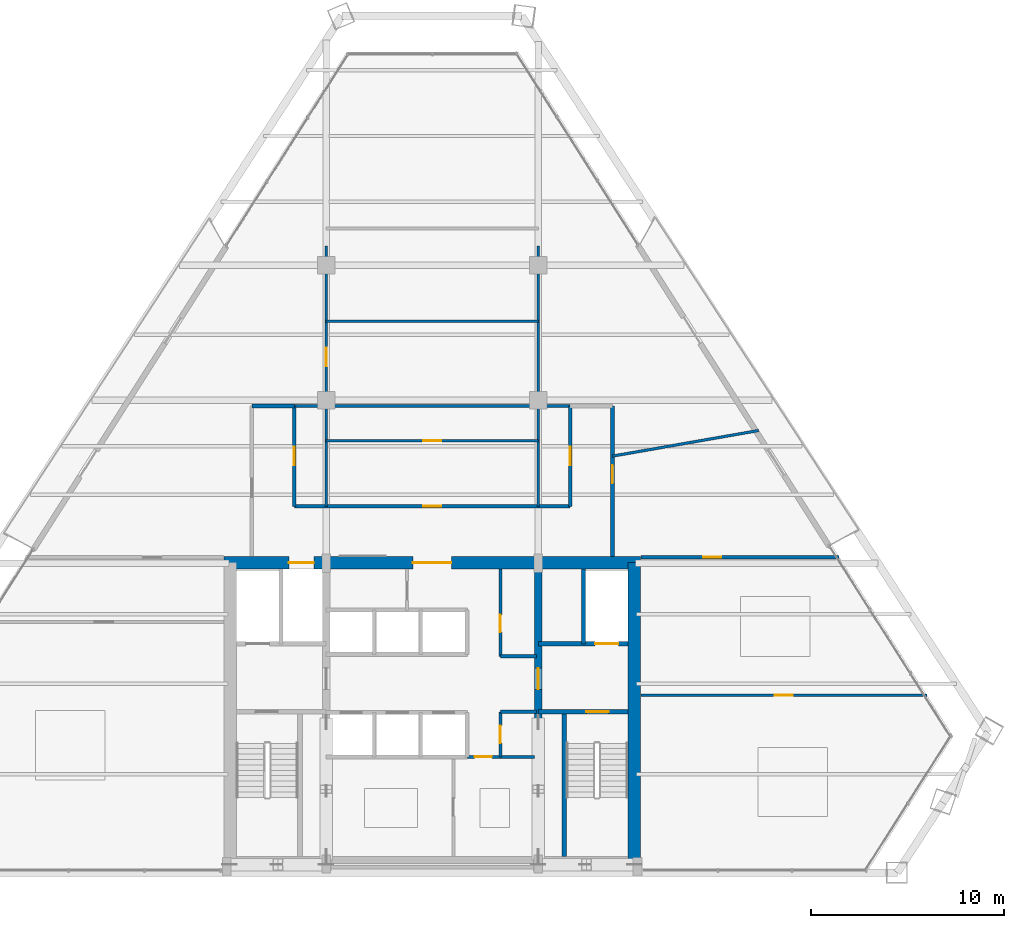
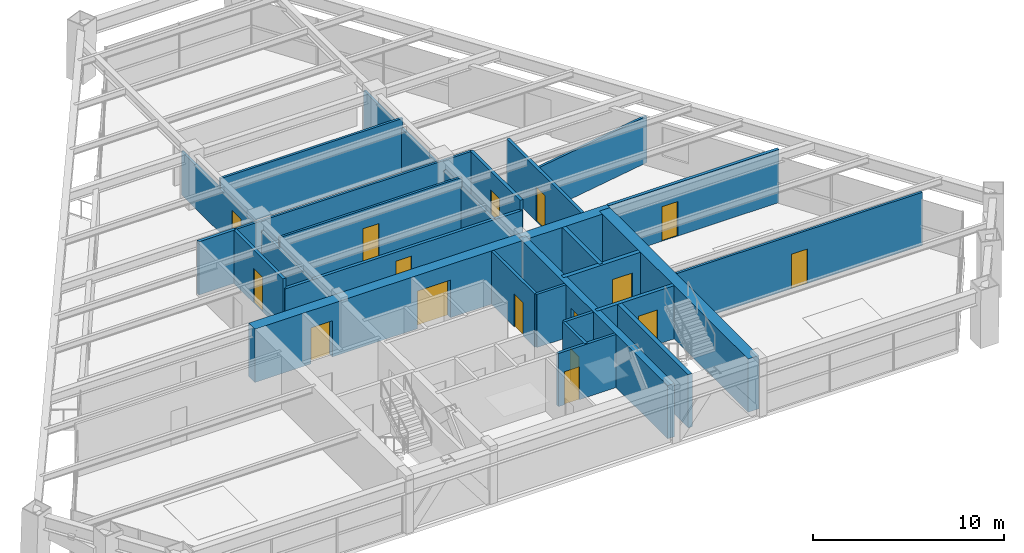
# One storey, part 12 of 15: 25 walls, 16 doors, 16 openings.
"""IFC4 building model written with IfcOpenShell, lengths in metres."""

from ifc_helpers import new_model, si_unit, direction, frame, frame_2d, origin, place, context, subcontext, project, spatial, rectangle, extrude, source, transform, mapped, material, layer, layer_set, type_object, type_shapes, element, fill, save


model = new_model("IFC4")

# Units and contexts
model_context = context("Model", 3, precision=1e-05, world=origin(), true_north=direction((0.0, 1.0)))
body_context = subcontext(model_context, "Body", "Model", "MODEL_VIEW")
ifc_project = project(units=[si_unit("LENGTHUNIT", "METRE"), si_unit("AREAUNIT", "SQUARE_METRE"), si_unit("VOLUMEUNIT", "CUBIC_METRE"), si_unit("PLANEANGLEUNIT", "RADIAN"), si_unit("MASSUNIT", "GRAM", prefix="KILO")], contexts=[model_context])

# Site, building, storey
site_placement = place(None, origin())
site = spatial("IfcSite", under=ifc_project, at=site_placement, CompositionType="ELEMENT")
building_placement = place(site_placement, origin())
building = spatial("IfcBuilding", under=site, at=building_placement, Name="Varnakhor Terracotta Tower", CompositionType="ELEMENT")
storey_placement = place(building_placement, frame((0.0, 0.0, 162.60009765625)))
storey = spatial("IfcBuildingStorey", under=building, at=storey_placement, Name="L41", CompositionType="ELEMENT", Elevation=162.60009765625)

# Wall, openings, doors
ifc_material_1 = material(Name="Concrete C50/60", Category="concrete")
ifc_layer_1 = layer(ifc_material_1, 0.64990234375, Name="Concrete C50/60")
ifc_layer_set_1 = layer_set([ifc_layer_1], Name="Concrete C50/60")
wall_type_1 = type_object("IfcWallType", Name="WAL-CORE-650", PredefinedType="SHEAR", material=ifc_layer_set_1)
wall_1_placement = place(storey_placement, frame((-10.800048828125, 16.074951171875, 0.0), z_axis=(0.0, 0.0, 1.0), x_axis=(1.0, 0.0, 0.0)))
wall_1 = element("IfcWall", 1, at=wall_1_placement, inside=storey, type_object=wall_type_1, Name="L41 North Core Shear Wall", PredefinedType="SHEAR", context=body_context, shape_type="SweptSolid", body=[
    extrude(rectangle(XDim=21.60009765625, YDim=0.64990234375, at=frame_2d((10.800048828125, 0.0))), origin(), (0.0, 0.0, 1.0), 3.39990234375),
])
opening_1_placement = place(wall_1_placement, frame((3.3701171875, 0.0, 0.0)))
opening_1 = element("IfcOpeningElement", 2, at=opening_1_placement, cuts=wall_1, Name="Opening LD-03", PredefinedType="OPENING", context=body_context, shape_type="SweptSolid", body=[
    extrude(rectangle(XDim=1.300048828125, YDim=2.300048828125, at=frame_2d((0.64990234375, 1.14990234375))), frame((0.0, 0.3349609375, 0.0), z_axis=(0.0, -1.0, 0.0), x_axis=(1.0, 0.0, 0.0)), (0.0, 0.0, 1.0), 0.669921875),
])
opening_2_placement = place(wall_1_placement, frame((9.800048828125, 0.0, 0.0)))
opening_2 = element("IfcOpeningElement", 3, at=opening_2_placement, cuts=wall_1, Name="Opening DR-32", PredefinedType="OPENING", context=body_context, shape_type="SweptSolid", body=[
    extrude(rectangle(XDim=2.0, YDim=2.39990234375, at=frame_2d((1.0, 1.199951171875))), frame((0.0, 0.3349609375, 0.0), z_axis=(0.0, -1.0, 0.0), x_axis=(1.0, 0.0, 0.0)), (0.0, 0.0, 1.0), 0.669921875),
])
ifc_material_2 = material(Name="Heavy-Duty Goods Sliding Lift Landing Door", Category="steel")
door_type_1 = type_object("IfcDoorType", Name="LD-SRV-1300X2300", OperationType="NOTDEFINED", PredefinedType="DOOR", material=ifc_material_2)
shared_shape_1 = source(origin(), body_context, "Body", "SweptSolid", [
    extrude(rectangle(XDim=1.300048828125, YDim=2.300048828125, at=frame_2d((0.64990234375, 1.14990234375))), frame((0.0, 0.02490234375, 0.0), z_axis=(0.0, -1.0, 0.0), x_axis=(1.0, 0.0, 0.0)), (0.0, 0.0, 1.0), 0.050048828125),
])
type_shapes(door_type_1, [shared_shape_1])
door_1_placement = place(opening_1_placement, origin())
door_1 = element("IfcDoor", 4, at=door_1_placement, inside=storey, type_object=door_type_1, Name="L41 Service Lift SVL-1 Landing Door", OperationType="SLIDING_TO_RIGHT", OverallHeight=2.300048828125, OverallWidth=1.300048828125, PredefinedType="DOOR", context=body_context, shape_type="MappedRepresentation", body=[
    mapped(shared_shape_1, transform((0.0, 0.0, 0.0), scale=1.0)),
])
fill(opening_1, door_1)
ifc_material_3 = material(Name="Acoustic Double Assembly Fire Door", Category="wood")
door_type_2 = type_object("IfcDoorType", Name="DR-HALL-2000X2400", OperationType="NOTDEFINED", PredefinedType="DOOR", material=ifc_material_3)
shared_shape_2 = source(origin(), body_context, "Body", "SweptSolid", [
    extrude(rectangle(XDim=2.0, YDim=2.39990234375, at=frame_2d((1.0, 1.199951171875))), frame((0.0, 0.02490234375, 0.0), z_axis=(0.0, -1.0, 0.0), x_axis=(1.0, 0.0, 0.0)), (0.0, 0.0, 1.0), 0.050048828125),
])
type_shapes(door_type_2, [shared_shape_2])
door_2_placement = place(opening_2_placement, origin())
door_2 = element("IfcDoor", 5, at=door_2_placement, inside=storey, type_object=door_type_2, Name="L41 Core Main Lobby Double Door", OperationType="DOUBLE_DOOR_SINGLE_SWING", OverallHeight=2.39990234375, OverallWidth=2.0, PredefinedType="DOOR", context=body_context, shape_type="MappedRepresentation", body=[
    mapped(shared_shape_2, transform((0.0, 0.0, 0.0), scale=1.0)),
])
fill(opening_2, door_2)

# Wall
wall_2_placement = place(storey_placement, frame((10.47509765625, 0.52490234375, 0.0), z_axis=(0.0, 0.0, 1.0), x_axis=(0.0, 1.0, 0.0)))
element("IfcWall", 6, at=wall_2_placement, inside=storey, type_object=wall_type_1, Name="L41 East Core Shear Wall", PredefinedType="SHEAR", context=body_context, shape_type="SweptSolid", body=[
    extrude(rectangle(XDim=15.550048828125, YDim=0.64990234375, at=frame_2d((7.77490234375, 0.0))), origin(), (0.0, 0.0, 1.0), 3.39990234375),
])

# Wall, opening, door
ifc_layer_2 = layer(ifc_material_1, 0.39990234375, Name="Concrete C50/60")
ifc_layer_set_2 = layer_set([ifc_layer_2], Name="Concrete C50/60")
wall_type_2 = type_object("IfcWallType", Name="WAL-CORE-WEB-400", PredefinedType="SHEAR", material=ifc_layer_set_2)
wall_3_placement = place(storey_placement, frame((5.5, 0.52490234375, 0.0), z_axis=(0.0, 0.0, 1.0), x_axis=(0.0, 1.0, 0.0)))
wall_3 = element("IfcWall", 7, at=wall_3_placement, inside=storey, type_object=wall_type_2, Name="L41 East Core Web Shear Wall", PredefinedType="SHEAR", context=body_context, shape_type="SweptSolid", body=[
    extrude(rectangle(XDim=15.550048828125, YDim=0.39990234375, at=frame_2d((7.77490234375, 0.0))), origin(), (0.0, 0.0, 1.0), 3.39990234375),
])
opening_3_placement = place(wall_3_placement, frame((8.97509765625, 0.0, 0.0)))
opening_3 = element("IfcOpeningElement", 8, at=opening_3_placement, cuts=wall_3, Name="Opening DR-25", PredefinedType="OPENING", context=body_context, shape_type="SweptSolid", body=[
    extrude(rectangle(XDim=1.10009765625, YDim=2.199951171875, at=frame_2d((0.550048828125, 1.10009765625))), frame((0.0, 0.2099609375, 0.0), z_axis=(0.0, -1.0, 0.0), x_axis=(1.0, 0.0, 0.0)), (0.0, 0.0, 1.0), 0.419921875),
])
ifc_material_4 = material(Name="Firefighting Lobby Self-Closing Fire Door", Category="steel")
door_type_3 = type_object("IfcDoorType", Name="DR-FFL-1100X2200", OperationType="NOTDEFINED", PredefinedType="DOOR", material=ifc_material_4)
shared_shape_3 = source(origin(), body_context, "Body", "SweptSolid", [
    extrude(rectangle(XDim=1.10009765625, YDim=2.199951171875, at=frame_2d((0.550048828125, 1.10009765625))), frame((0.0, 0.02490234375, 0.0), z_axis=(0.0, -1.0, 0.0), x_axis=(1.0, 0.0, 0.0)), (0.0, 0.0, 1.0), 0.050048828125),
])
type_shapes(door_type_3, [shared_shape_3])
door_3_placement = place(opening_3_placement, origin())
door_3 = element("IfcDoor", 9, at=door_3_placement, inside=storey, type_object=door_type_3, Name="L41 East Firefighting Lobby Door", OperationType="SINGLE_SWING_LEFT", OverallHeight=2.199951171875, OverallWidth=1.10009765625, PredefinedType="DOOR", context=body_context, shape_type="MappedRepresentation", body=[
    mapped(shared_shape_3, transform((0.0, 0.0, 0.0), scale=1.0)),
])
fill(opening_3, door_3)

ifc_material_5 = material(Name="Fire-Rated Gypsum Stud Partition", Category="gypsum")
ifc_layer_3 = layer(ifc_material_5, 0.18505859375, Name="Fire-Rated Gypsum Stud Partition")
ifc_layer_set_3 = layer_set([ifc_layer_3], Name="Fire-Rated Gypsum Stud Partition")
wall_type_3 = type_object("IfcWallType", Name="WAL-CORR-185", PredefinedType="PARTITIONING", material=ifc_layer_set_3)
wall_4_placement = place(storey_placement, frame((-7.14990234375, 19.0, 0.0), z_axis=(0.0, 0.0, 1.0), x_axis=(1.0, 0.0, 0.0)))
wall_4 = element("IfcWall", 10, at=wall_4_placement, inside=storey, type_object=wall_type_3, Name="L41 Central Gallery Link Wall", PredefinedType="PARTITIONING", context=body_context, shape_type="SweptSolid", body=[
    extrude(rectangle(XDim=14.2998046875, YDim=0.18505859375, at=frame_2d((7.14990234375, 0.0))), origin(), (0.0, 0.0, 1.0), 2.77587890625),
])
opening_4_placement = place(wall_4_placement, frame((6.675048828125, 0.0, 0.0)))
opening_4 = element("IfcOpeningElement", 11, at=opening_4_placement, cuts=wall_4, Name="Opening DR-94", PredefinedType="OPENING", context=body_context, shape_type="SweptSolid", body=[
    extrude(rectangle(XDim=0.949951171875, YDim=2.199951171875, at=frame_2d((0.47509765625, 1.10009765625))), frame((0.0, 0.1025390625, 0.0), z_axis=(0.0, -1.0, 0.0), x_axis=(1.0, 0.0, 0.0)), (0.0, 0.0, 1.0), 0.205078125),
])
ifc_material_6 = material(Name="Acoustic Glazed-Vision Timber Office Door", Category="wood")
door_type_4 = type_object("IfcDoorType", Name="DR-OFF-950X2200", OperationType="NOTDEFINED", PredefinedType="DOOR", material=ifc_material_6)
shared_shape_4 = source(origin(), body_context, "Body", "SweptSolid", [
    extrude(rectangle(XDim=0.949951171875, YDim=2.199951171875, at=frame_2d((0.47509765625, 1.10009765625))), frame((0.0, 0.02490234375, 0.0), z_axis=(0.0, -1.0, 0.0), x_axis=(1.0, 0.0, 0.0)), (0.0, 0.0, 1.0), 0.050048828125),
])
type_shapes(door_type_4, [shared_shape_4])
door_4_placement = place(opening_4_placement, origin())
door_4 = element("IfcDoor", 12, at=door_4_placement, inside=storey, type_object=door_type_4, Name="L41 Center Suite Door", OperationType="SINGLE_SWING_LEFT", OverallHeight=2.199951171875, OverallWidth=0.949951171875, PredefinedType="DOOR", context=body_context, shape_type="MappedRepresentation", body=[
    mapped(shared_shape_4, transform((0.0, 0.0, 0.0), scale=1.0)),
])
fill(opening_4, door_4)

wall_5_placement = place(storey_placement, frame((-7.14990234375, 19.0, 0.0), z_axis=(0.0, 0.0, 1.0), x_axis=(0.0, 1.0, 0.0)))
wall_5 = element("IfcWall", 13, at=wall_5_placement, inside=storey, type_object=wall_type_3, Name="L41 West Gallery Inner Wall", PredefinedType="PARTITIONING", context=body_context, shape_type="SweptSolid", body=[
    extrude(rectangle(XDim=5.199951171875, YDim=0.18505859375, at=frame_2d((2.60009765625, 0.0))), origin(), (0.0, 0.0, 1.0), 3.391845703125),
])
opening_5_placement = place(wall_5_placement, frame((2.125, 0.0, 0.0)))
opening_5 = element("IfcOpeningElement", 14, at=opening_5_placement, cuts=wall_5, Name="Opening DR-94", PredefinedType="OPENING", context=body_context, shape_type="SweptSolid", body=[
    extrude(rectangle(XDim=0.949951171875, YDim=2.199951171875, at=frame_2d((0.47509765625, 1.10009765625))), frame((0.0, 0.1025390625, 0.0), z_axis=(0.0, -1.0, 0.0), x_axis=(1.0, 0.0, 0.0)), (0.0, 0.0, 1.0), 0.205078125),
])
door_5_placement = place(opening_5_placement, origin())
door_5 = element("IfcDoor", 15, at=door_5_placement, inside=storey, type_object=door_type_4, Name="L41 Games Amenity Room B8 Door", OperationType="SINGLE_SWING_RIGHT", OverallHeight=2.199951171875, OverallWidth=0.949951171875, PredefinedType="DOOR", context=body_context, shape_type="MappedRepresentation", body=[
    mapped(shared_shape_4, transform((0.0, 0.0, 0.0), scale=1.0)),
])
fill(opening_5, door_5)

wall_6_placement = place(storey_placement, frame((7.14990234375, 19.0, 0.0), z_axis=(0.0, 0.0, 1.0), x_axis=(0.0, 1.0, 0.0)))
wall_6 = element("IfcWall", 16, at=wall_6_placement, inside=storey, type_object=wall_type_3, Name="L41 East Gallery Inner Wall", PredefinedType="PARTITIONING", context=body_context, shape_type="SweptSolid", body=[
    extrude(rectangle(XDim=5.199951171875, YDim=0.18505859375, at=frame_2d((2.60009765625, 0.0))), origin(), (0.0, 0.0, 1.0), 3.391845703125),
])
opening_6_placement = place(wall_6_placement, frame((2.125, 0.0, 0.0)))
opening_6 = element("IfcOpeningElement", 17, at=opening_6_placement, cuts=wall_6, Name="Opening DR-94", PredefinedType="OPENING", context=body_context, shape_type="SweptSolid", body=[
    extrude(rectangle(XDim=0.949951171875, YDim=2.199951171875, at=frame_2d((0.47509765625, 1.10009765625))), frame((0.0, 0.1025390625, 0.0), z_axis=(0.0, -1.0, 0.0), x_axis=(1.0, 0.0, 0.0)), (0.0, 0.0, 1.0), 0.205078125),
])
door_6_placement = place(opening_6_placement, origin())
door_6 = element("IfcDoor", 18, at=door_6_placement, inside=storey, type_object=door_type_4, Name="L41 Clinic First Aid Room B9 Door", OperationType="SINGLE_SWING_LEFT", OverallHeight=2.199951171875, OverallWidth=0.949951171875, PredefinedType="DOOR", context=body_context, shape_type="MappedRepresentation", body=[
    mapped(shared_shape_4, transform((0.0, 0.0, 0.0), scale=1.0)),
])
fill(opening_6, door_6)

wall_7_placement = place(storey_placement, frame((9.35009765625, 16.39990234375, 0.0), z_axis=(0.0, 0.0, 1.0), x_axis=(0.0, 1.0, 0.0)))
wall_7 = element("IfcWall", 19, at=wall_7_placement, inside=storey, type_object=wall_type_3, Name="L41 East Gallery Outer Wall", PredefinedType="PARTITIONING", context=body_context, shape_type="SweptSolid", body=[
    extrude(rectangle(XDim=7.800048828125, YDim=0.18505859375, at=frame_2d((3.89990234375, 0.0))), origin(), (0.0, 0.0, 1.0), 3.391845703125),
])
opening_7_placement = place(wall_7_placement, frame((3.781005859375, 0.0, 0.0)))
opening_7 = element("IfcOpeningElement", 20, at=opening_7_placement, cuts=wall_7, Name="Opening DR-94", PredefinedType="OPENING", context=body_context, shape_type="SweptSolid", body=[
    extrude(rectangle(XDim=0.949951171875, YDim=2.199951171875, at=frame_2d((0.47509765625, 1.10009765625))), frame((0.0, 0.1025390625, 0.0), z_axis=(0.0, -1.0, 0.0), x_axis=(1.0, 0.0, 0.0)), (0.0, 0.0, 1.0), 0.205078125),
])
door_7_placement = place(opening_7_placement, origin())
door_7 = element("IfcDoor", 21, at=door_7_placement, inside=storey, type_object=door_type_4, Name="L41 East Wing Door", OperationType="SINGLE_SWING_LEFT", OverallHeight=2.199951171875, OverallWidth=0.949951171875, PredefinedType="DOOR", context=body_context, shape_type="MappedRepresentation", body=[
    mapped(shared_shape_4, transform((0.0, 0.0, 0.0), scale=1.0)),
])
fill(opening_7, door_7)

# Wall
wall_8_placement = place(storey_placement, frame((-9.35009765625, 24.199951171875, 0.0), z_axis=(0.0, 0.0, 1.0), x_axis=(1.0, 0.0, 0.0)))
element("IfcWall", 22, at=wall_8_placement, inside=storey, type_object=wall_type_3, Name="L41 West Gallery North End", PredefinedType="PARTITIONING", context=body_context, shape_type="SweptSolid", body=[
    extrude(rectangle(XDim=2.2001953125, YDim=0.18505859375, at=frame_2d((1.10009765625, 0.0))), origin(), (0.0, 0.0, 1.0), 3.391845703125),
])

# Wall, opening, door
wall_9_placement = place(storey_placement, frame((10.820068359375, 16.35009765625, 0.0), z_axis=(0.0, 0.0, 1.0), x_axis=(1.0, 0.0, 0.0)))
wall_9 = element("IfcWall", 23, at=wall_9_placement, inside=storey, type_object=wall_type_3, Name="L41 South East Entry Wall", PredefinedType="PARTITIONING", context=body_context, shape_type="SweptSolid", body=[
    extrude(rectangle(XDim=10.2841796875, YDim=0.18505859375, at=frame_2d((5.14208984375, 0.0))), origin(), (0.0, 0.0, 1.0), 3.391845703125),
])
opening_8_placement = place(wall_9_placement, frame((3.2265625, 0.0, 0.0)))
opening_8 = element("IfcOpeningElement", 24, at=opening_8_placement, cuts=wall_9, Name="Opening DR-94", PredefinedType="OPENING", context=body_context, shape_type="SweptSolid", body=[
    extrude(rectangle(XDim=0.949951171875, YDim=2.199951171875, at=frame_2d((0.47509765625, 1.10009765625))), frame((0.0, 0.1025390625, 0.0), z_axis=(0.0, -1.0, 0.0), x_axis=(1.0, 0.0, 0.0)), (0.0, 0.0, 1.0), 0.205078125),
])
door_8_placement = place(opening_8_placement, origin())
door_8 = element("IfcDoor", 25, at=door_8_placement, inside=storey, type_object=door_type_4, Name="L41 SE Suite Door", OperationType="SINGLE_SWING_LEFT", OverallHeight=2.199951171875, OverallWidth=0.949951171875, PredefinedType="DOOR", context=body_context, shape_type="MappedRepresentation", body=[
    mapped(shared_shape_4, transform((0.0, 0.0, 0.0), scale=1.0)),
])
fill(opening_8, door_8)

ifc_material_7 = material(Name="Concrete C40/50", Category="concrete")
ifc_layer_4 = layer(ifc_material_7, 0.219970703125, Name="Concrete C40/50")
ifc_layer_set_4 = layer_set([ifc_layer_4], Name="Concrete C40/50")
wall_type_4 = type_object("IfcWallType", Name="WAL-FFLOBBY-220", PredefinedType="SOLIDWALL", material=ifc_layer_set_4)
wall_10_placement = place(storey_placement, frame((10.14990234375, 8.35009765625, 0.0), z_axis=(0.0, 0.0, 1.0), x_axis=(-1.0, 0.0, 0.0)))
wall_10 = element("IfcWall", 26, at=wall_10_placement, inside=storey, type_object=wall_type_4, Name="L41 East Firefighting Lobby Stair Wall", PredefinedType="SOLIDWALL", context=body_context, shape_type="SweptSolid", body=[
    extrude(rectangle(XDim=4.64990234375, YDim=0.219970703125, at=frame_2d((2.324951171875, 0.0))), origin(), (0.0, 0.0, 1.0), 3.39990234375),
])
opening_9_placement = place(wall_10_placement, frame((1.0, 0.0, 0.0)))
opening_9 = element("IfcOpeningElement", 27, at=opening_9_placement, cuts=wall_10, Name="Opening DR-34", PredefinedType="OPENING", context=body_context, shape_type="SweptSolid", body=[
    extrude(rectangle(XDim=1.14990234375, YDim=2.199951171875, at=frame_2d((0.574951171875, 1.10009765625))), frame((0.0, 0.1201171875, 0.0), z_axis=(0.0, -1.0, 0.0), x_axis=(1.0, 0.0, 0.0)), (0.0, 0.0, 1.0), 0.239990234375),
])
ifc_material_8 = material(Name="Self-Closing Smoke-Sealed Steel Fire Door", Category="steel")
door_type_5 = type_object("IfcDoorType", Name="DR-STAIR-1150X2200", OperationType="NOTDEFINED", PredefinedType="DOOR", material=ifc_material_8)
shared_shape_5 = source(origin(), body_context, "Body", "SweptSolid", [
    extrude(rectangle(XDim=1.14990234375, YDim=2.199951171875, at=frame_2d((0.574951171875, 1.10009765625))), frame((0.0, 0.02490234375, 0.0), z_axis=(0.0, -1.0, 0.0), x_axis=(1.0, 0.0, 0.0)), (0.0, 0.0, 1.0), 0.050048828125),
])
type_shapes(door_type_5, [shared_shape_5])
door_9_placement = place(opening_9_placement, origin())
door_9 = element("IfcDoor", 28, at=door_9_placement, inside=storey, type_object=door_type_5, Name="L41 Exit Stair ST-2 Fire Door", OperationType="SINGLE_SWING_RIGHT", OverallHeight=2.199951171875, OverallWidth=1.14990234375, PredefinedType="DOOR", context=body_context, shape_type="MappedRepresentation", body=[
    mapped(shared_shape_5, transform((0.0, 0.0, 0.0), scale=1.0)),
])
fill(opening_9, door_9)

# Wall
ifc_material_9 = material(Name="Acoustic Metal-Stud Partition", Category="gypsum")
ifc_layer_5 = layer(ifc_material_9, 0.139892578125, Name="Acoustic Metal-Stud Partition")
ifc_layer_set_5 = layer_set([ifc_layer_5], Name="Acoustic Metal-Stud Partition")
wall_type_5 = type_object("IfcWallType", Name="WAL-PART-140", PredefinedType="PARTITIONING", material=ifc_layer_set_5)
wall_11_placement = place(storey_placement, frame((-7.14990234375, 24.199951171875, 0.0), z_axis=(0.0, 0.0, 1.0), x_axis=(1.0, 0.0, 0.0)))
element("IfcWall", 29, at=wall_11_placement, inside=storey, type_object=wall_type_5, Name="L41 Gallery Center Cap Wall", PredefinedType="PARTITIONING", context=body_context, shape_type="SweptSolid", body=[
    extrude(rectangle(XDim=14.2998046875, YDim=0.139892578125, at=frame_2d((7.14990234375, 0.0))), origin(), (0.0, 0.0, 1.0), 3.391845703125),
])

# Wall, opening, door
wall_12_placement = place(storey_placement, frame((-5.5, 19.0, 0.0), z_axis=(0.0, 0.0, 1.0), x_axis=(0.0, 1.0, 0.0)))
wall_12 = element("IfcWall", 30, at=wall_12_placement, inside=storey, type_object=wall_type_5, Name="L41 Center West Column Wall", PredefinedType="PARTITIONING", context=body_context, shape_type="SweptSolid", body=[
    extrude(rectangle(XDim=13.5, YDim=0.139892578125, at=frame_2d((6.75, 0.0))), origin(), (0.0, 0.0, 1.0), 2.77587890625),
])
opening_10_placement = place(wall_12_placement, frame((7.264404296875, 0.0, 0.0)))
opening_10 = element("IfcOpeningElement", 31, at=opening_10_placement, cuts=wall_12, Name="Opening DR-94", PredefinedType="OPENING", context=body_context, shape_type="SweptSolid", body=[
    extrude(rectangle(XDim=0.949951171875, YDim=2.199951171875, at=frame_2d((0.47509765625, 1.10009765625))), frame((0.0, 0.080078125, 0.0), z_axis=(0.0, -1.0, 0.0), x_axis=(1.0, 0.0, 0.0)), (0.0, 0.0, 1.0), 0.159912109375),
])
door_10_placement = place(opening_10_placement, origin())
door_10 = element("IfcDoor", 32, at=door_10_placement, inside=storey, type_object=door_type_4, Name="L41 Concierge Reception 2 B11 Door", OperationType="SINGLE_SWING_LEFT", OverallHeight=2.199951171875, OverallWidth=0.949951171875, PredefinedType="DOOR", context=body_context, shape_type="MappedRepresentation", body=[
    mapped(shared_shape_4, transform((0.0, 0.0, 0.0), scale=1.0)),
])
fill(opening_10, door_10)

# Wall
wall_13_placement = place(storey_placement, frame((5.5, 19.0, 0.0), z_axis=(0.0, 0.0, 1.0), x_axis=(0.0, 1.0, 0.0)))
element("IfcWall", 33, at=wall_13_placement, inside=storey, type_object=wall_type_5, Name="L41 Center East Column Wall", PredefinedType="PARTITIONING", context=body_context, shape_type="SweptSolid", body=[
    extrude(rectangle(XDim=13.5, YDim=0.139892578125, at=frame_2d((6.75, 0.0))), origin(), (0.0, 0.0, 1.0), 2.77587890625),
])

# Wall, opening, door
wall_14_placement = place(storey_placement, frame((-5.5, 22.39990234375, 0.0), z_axis=(0.0, 0.0, 1.0), x_axis=(1.0, 0.0, 0.0)))
wall_14 = element("IfcWall", 34, at=wall_14_placement, inside=storey, type_object=wall_type_5, Name="L41 Center Cross Cut 1", PredefinedType="PARTITIONING", context=body_context, shape_type="SweptSolid", body=[
    extrude(rectangle(XDim=11.0, YDim=0.139892578125, at=frame_2d((5.5, 0.0))), origin(), (0.0, 0.0, 1.0), 3.391845703125),
])
opening_11_placement = place(wall_14_placement, frame((5.02490234375, 0.0, 0.0)))
opening_11 = element("IfcOpeningElement", 35, at=opening_11_placement, cuts=wall_14, Name="Opening DR-94", PredefinedType="OPENING", context=body_context, shape_type="SweptSolid", body=[
    extrude(rectangle(XDim=0.949951171875, YDim=2.199951171875, at=frame_2d((0.47509765625, 1.10009765625))), frame((0.0, 0.080078125, 0.0), z_axis=(0.0, -1.0, 0.0), x_axis=(1.0, 0.0, 0.0)), (0.0, 0.0, 1.0), 0.159912109375),
])
door_11_placement = place(opening_11_placement, origin())
door_11 = element("IfcDoor", 36, at=door_11_placement, inside=storey, type_object=door_type_4, Name="L41 Cinema Screening Salon Door", OperationType="SINGLE_SWING_RIGHT", OverallHeight=2.199951171875, OverallWidth=0.949951171875, PredefinedType="DOOR", context=body_context, shape_type="MappedRepresentation", body=[
    mapped(shared_shape_4, transform((0.0, 0.0, 0.0), scale=1.0)),
])
fill(opening_11, door_11)

# Wall
wall_15_placement = place(storey_placement, frame((-5.5, 28.60009765625, 0.0), z_axis=(0.0, 0.0, 1.0), x_axis=(1.0, 0.0, 0.0)))
element("IfcWall", 37, at=wall_15_placement, inside=storey, type_object=wall_type_5, Name="L41 Center Cross Cut 2", PredefinedType="PARTITIONING", context=body_context, shape_type="SweptSolid", body=[
    extrude(rectangle(XDim=11.0, YDim=0.139892578125, at=frame_2d((5.5, 0.0))), origin(), (0.0, 0.0, 1.0), 3.391845703125),
])

# Wall, opening, door
wall_16_placement = place(storey_placement, frame((10.820068359375, 9.199951171875, 0.0), z_axis=(0.0, 0.0, 1.0), x_axis=(1.0, 0.0, 0.0)))
wall_16 = element("IfcWall", 38, at=wall_16_placement, inside=storey, type_object=wall_type_5, Name="L41 East Wing Cut 1", PredefinedType="PARTITIONING", context=body_context, shape_type="SweptSolid", body=[
    extrude(rectangle(XDim=14.8271484375, YDim=0.139892578125, at=frame_2d((7.41357421875, 0.0))), origin(), (0.0, 0.0, 1.0), 3.391845703125),
])
opening_12_placement = place(wall_16_placement, frame((6.930908203125, 0.0, 0.0)))
opening_12 = element("IfcOpeningElement", 39, at=opening_12_placement, cuts=wall_16, Name="Opening DR-94", PredefinedType="OPENING", context=body_context, shape_type="SweptSolid", body=[
    extrude(rectangle(XDim=0.949951171875, YDim=2.199951171875, at=frame_2d((0.47509765625, 1.10009765625))), frame((0.0, 0.080078125, 0.0), z_axis=(0.0, -1.0, 0.0), x_axis=(1.0, 0.0, 0.0)), (0.0, 0.0, 1.0), 0.159912109375),
])
door_12_placement = place(opening_12_placement, origin())
door_12 = element("IfcDoor", 40, at=door_12_placement, inside=storey, type_object=door_type_4, Name="L41 Client Reception 1 SE Door", OperationType="SINGLE_SWING_RIGHT", OverallHeight=2.199951171875, OverallWidth=0.949951171875, PredefinedType="DOOR", context=body_context, shape_type="MappedRepresentation", body=[
    mapped(shared_shape_4, transform((0.0, 0.0, 0.0), scale=1.0)),
])
fill(opening_12, door_12)

# Walls
wall_17_placement = place(storey_placement, frame((9.35009765625, 21.60009765625, 0.0), z_axis=(0.0, 0.0, 1.0), x_axis=(0.985009302956, 0.172501226345, 0.0)))
element("IfcWall", 41, at=wall_17_placement, inside=storey, type_object=wall_type_5, Name="L41 East Wing Cut 2", PredefinedType="PARTITIONING", context=body_context, shape_type="SweptSolid", body=[
    extrude(rectangle(XDim=7.690673828125, YDim=0.139892578125, at=frame_2d((3.84521484375, 0.0))), origin(), (0.0, 0.0, 1.0), 2.97900390625),
])
ifc_layer_6 = layer(ifc_material_7, 0.219970703125, Name="Concrete C40/50")
ifc_layer_set_6 = layer_set([ifc_layer_6], Name="Concrete C40/50")
wall_type_6 = type_object("IfcWallType", Name="WAL-SHAFT-220", PredefinedType="SOLIDWALL", material=ifc_layer_set_6)
wall_18_placement = place(storey_placement, frame((7.840087890625, 11.8701171875, 0.0), z_axis=(0.0, 0.0, 1.0), x_axis=(0.0, 1.0, 0.0)))
element("IfcWall", 42, at=wall_18_placement, inside=storey, type_object=wall_type_6, Name="L41 Lift FFL-2 and Riser Divider Wall", PredefinedType="SOLIDWALL", context=body_context, shape_type="SweptSolid", body=[
    extrude(rectangle(XDim=3.8798828125, YDim=0.219970703125, at=frame_2d((1.93994140625, 0.0))), origin(), (0.0, 0.0, 1.0), 3.39990234375),
])
ifc_layer_7 = layer(ifc_material_7, 0.25, Name="Concrete C40/50")
ifc_layer_set_7 = layer_set([ifc_layer_7], Name="Concrete C40/50")
wall_type_7 = type_object("IfcWallType", Name="WAL-SHAFT-250", PredefinedType="SOLIDWALL", material=ifc_layer_set_7)
wall_19_placement = place(storey_placement, frame((6.85009765625, 0.85009765625, 0.0), z_axis=(0.0, 0.0, 1.0), x_axis=(0.0, 1.0, 0.0)))
element("IfcWall", 43, at=wall_19_placement, inside=storey, type_object=wall_type_7, Name="L41 Stair ST-2 Bearing Shaft Wall", PredefinedType="SOLIDWALL", context=body_context, shape_type="SweptSolid", body=[
    extrude(rectangle(XDim=7.5, YDim=0.25, at=frame_2d((3.75, 0.0))), origin(), (0.0, 0.0, 1.0), 3.39990234375),
])

# Wall, opening, door
wall_20_placement = place(storey_placement, frame((10.14990234375, 11.8701171875, 0.0), z_axis=(0.0, 0.0, 1.0), x_axis=(-1.0, 0.0, 0.0)))
wall_20 = element("IfcWall", 44, at=wall_20_placement, inside=storey, type_object=wall_type_7, Name="L41 Lift FFL-2 Shaft Front Wall", PredefinedType="SOLIDWALL", context=body_context, shape_type="SweptSolid", body=[
    extrude(rectangle(XDim=4.64990234375, YDim=0.25, at=frame_2d((2.324951171875, 0.0))), origin(), (0.0, 0.0, 1.0), 3.39990234375),
])
opening_13_placement = place(wall_20_placement, frame((0.5, 0.0, 0.0)))
opening_13 = element("IfcOpeningElement", 45, at=opening_13_placement, cuts=wall_20, Name="Opening LD-02", PredefinedType="OPENING", context=body_context, shape_type="SweptSolid", body=[
    extrude(rectangle(XDim=1.199951171875, YDim=2.25, at=frame_2d((0.60009765625, 1.125))), frame((0.0, 0.135009765625, 0.0), z_axis=(0.0, -1.0, 0.0), x_axis=(1.0, 0.0, 0.0)), (0.0, 0.0, 1.0), 0.27001953125),
])
ifc_material_10 = material(Name="Firefighting Stretcher Sliding Lift Landing Door", Category="steel")
door_type_6 = type_object("IfcDoorType", Name="LD-FFL-1200X2250", OperationType="NOTDEFINED", PredefinedType="DOOR", material=ifc_material_10)
shared_shape_6 = source(origin(), body_context, "Body", "SweptSolid", [
    extrude(rectangle(XDim=1.199951171875, YDim=2.25, at=frame_2d((0.60009765625, 1.125))), frame((0.0, 0.02490234375, 0.0), z_axis=(0.0, -1.0, 0.0), x_axis=(1.0, 0.0, 0.0)), (0.0, 0.0, 1.0), 0.050048828125),
])
type_shapes(door_type_6, [shared_shape_6])
door_13_placement = place(opening_13_placement, origin())
door_13 = element("IfcDoor", 46, at=door_13_placement, inside=storey, type_object=door_type_6, Name="L41 Firefighting Lift FFL-2 Landing Door", OperationType="SLIDING_TO_RIGHT", OverallHeight=2.25, OverallWidth=1.199951171875, PredefinedType="DOOR", context=body_context, shape_type="MappedRepresentation", body=[
    mapped(shared_shape_6, transform((0.0, 0.0, 0.0), scale=1.0)),
])
fill(opening_13, door_13)

ifc_material_11 = material(Name="Acoustic Fire-Rated Partition", Category="gypsum")
ifc_layer_8 = layer(ifc_material_11, 0.1650390625, Name="Acoustic Fire-Rated Partition")
ifc_layer_set_8 = layer_set([ifc_layer_8], Name="Acoustic Fire-Rated Partition")
wall_type_8 = type_object("IfcWallType", Name="WAL-TENANCY-165", PredefinedType="PARTITIONING", material=ifc_layer_set_8)
wall_21_placement = place(storey_placement, frame((1.820068359375, 6.0, 0.0), z_axis=(0.0, 0.0, 1.0), x_axis=(1.0, 0.0, 0.0)))
wall_21 = element("IfcWall", 47, at=wall_21_placement, inside=storey, type_object=wall_type_8, Name="L41 Reclaimed Core Bay North Rated Wall", PredefinedType="PARTITIONING", context=body_context, shape_type="SweptSolid", body=[
    extrude(rectangle(XDim=3.47998046875, YDim=0.1650390625, at=frame_2d((1.739990234375, 0.0))), origin(), (0.0, 0.0, 1.0), 3.391845703125),
])
opening_14_placement = place(wall_21_placement, frame((0.3798828125, 0.0, 0.0)))
opening_14 = element("IfcOpeningElement", 48, at=opening_14_placement, cuts=wall_21, Name="Opening DR-67", PredefinedType="OPENING", context=body_context, shape_type="SweptSolid", body=[
    extrude(rectangle(XDim=0.89990234375, YDim=2.10009765625, at=frame_2d((0.449951171875, 1.050048828125))), frame((0.0, 0.092529296875, 0.0), z_axis=(0.0, -1.0, 0.0), x_axis=(1.0, 0.0, 0.0)), (0.0, 0.0, 1.0), 0.18505859375),
])
ifc_material_12 = material(Name="Steel Service Riser Fire Door", Category="steel")
door_type_7 = type_object("IfcDoorType", Name="DR-RISER-900X2100", OperationType="NOTDEFINED", PredefinedType="DOOR", material=ifc_material_12)
shared_shape_7 = source(origin(), body_context, "Body", "SweptSolid", [
    extrude(rectangle(XDim=0.89990234375, YDim=2.10009765625, at=frame_2d((0.449951171875, 1.050048828125))), frame((0.0, 0.02490234375, 0.0), z_axis=(0.0, -1.0, 0.0), x_axis=(1.0, 0.0, 0.0)), (0.0, 0.0, 1.0), 0.050048828125),
])
type_shapes(door_type_7, [shared_shape_7])
door_14_placement = place(opening_14_placement, origin())
door_14 = element("IfcDoor", 49, at=door_14_placement, inside=storey, type_object=door_type_7, Name="L41 Core Reclaimed Suite Door", OperationType="SINGLE_SWING_RIGHT", OverallHeight=2.10009765625, OverallWidth=0.89990234375, PredefinedType="DOOR", context=body_context, shape_type="MappedRepresentation", body=[
    mapped(shared_shape_7, transform((0.0, 0.0, 0.0), scale=1.0)),
])
fill(opening_14, door_14)

wall_22_placement = place(storey_placement, frame((3.5400390625, 6.0, 0.0), z_axis=(0.0, 0.0, 1.0), x_axis=(0.0, 1.0, 0.0)))
wall_22 = element("IfcWall", 50, at=wall_22_placement, inside=storey, type_object=wall_type_8, Name="L41 Accessible WC Rated Wall", PredefinedType="PARTITIONING", context=body_context, shape_type="SweptSolid", body=[
    extrude(rectangle(XDim=2.340087890625, YDim=0.1650390625, at=frame_2d((1.169921875, 0.0))), origin(), (0.0, 0.0, 1.0), 3.391845703125),
])
opening_15_placement = place(wall_22_placement, frame((0.719970703125, 0.0, 0.0)))
opening_15 = element("IfcOpeningElement", 51, at=opening_15_placement, cuts=wall_22, Name="Opening DR-67", PredefinedType="OPENING", context=body_context, shape_type="SweptSolid", body=[
    extrude(rectangle(XDim=0.89990234375, YDim=2.10009765625, at=frame_2d((0.449951171875, 1.050048828125))), frame((0.0, 0.092529296875, 0.0), z_axis=(0.0, -1.0, 0.0), x_axis=(1.0, 0.0, 0.0)), (0.0, 0.0, 1.0), 0.18505859375),
])
door_15_placement = place(opening_15_placement, origin())
door_15 = element("IfcDoor", 52, at=door_15_placement, inside=storey, type_object=door_type_7, Name="L41 Accessible WC Door", OperationType="SINGLE_SWING_RIGHT", OverallHeight=2.10009765625, OverallWidth=0.89990234375, PredefinedType="DOOR", context=body_context, shape_type="MappedRepresentation", body=[
    mapped(shared_shape_7, transform((0.0, 0.0, 0.0), scale=1.0)),
])
fill(opening_15, door_15)

# Wall
wall_23_placement = place(storey_placement, frame((3.5400390625, 8.340087890625, 0.0), z_axis=(0.0, 0.0, 1.0), x_axis=(1.0, 0.0, 0.0)))
element("IfcWall", 53, at=wall_23_placement, inside=storey, type_object=wall_type_8, Name="L41 Accessible WC North Wall", PredefinedType="PARTITIONING", context=body_context, shape_type="SweptSolid", body=[
    extrude(rectangle(XDim=1.8798828125, YDim=0.1650390625, at=frame_2d((0.93994140625, 0.0))), origin(), (0.0, 0.0, 1.0), 3.391845703125),
])

# Wall, opening, door
wall_24_placement = place(storey_placement, frame((3.5400390625, 11.219970703125, 0.0), z_axis=(0.0, 0.0, 1.0), x_axis=(0.0, 1.0, 0.0)))
wall_24 = element("IfcWall", 54, at=wall_24_placement, inside=storey, type_object=wall_type_8, Name="L41 Restroom Corridor Wall", PredefinedType="PARTITIONING", context=body_context, shape_type="SweptSolid", body=[
    extrude(rectangle(XDim=4.530029296875, YDim=0.1650390625, at=frame_2d((2.26513671875, 0.0))), origin(), (0.0, 0.0, 1.0), 3.391845703125),
])
opening_16_placement = place(wall_24_placement, frame((1.25, 0.0, 0.0)))
opening_16 = element("IfcOpeningElement", 55, at=opening_16_placement, cuts=wall_24, Name="Opening DR-67", PredefinedType="OPENING", context=body_context, shape_type="SweptSolid", body=[
    extrude(rectangle(XDim=0.89990234375, YDim=2.10009765625, at=frame_2d((0.449951171875, 1.050048828125))), frame((0.0, 0.092529296875, 0.0), z_axis=(0.0, -1.0, 0.0), x_axis=(1.0, 0.0, 0.0)), (0.0, 0.0, 1.0), 0.18505859375),
])
door_16_placement = place(opening_16_placement, origin())
door_16 = element("IfcDoor", 56, at=door_16_placement, inside=storey, type_object=door_type_7, Name="L41 Female WC Door", OperationType="SINGLE_SWING_RIGHT", OverallHeight=2.10009765625, OverallWidth=0.89990234375, PredefinedType="DOOR", context=body_context, shape_type="MappedRepresentation", body=[
    mapped(shared_shape_7, transform((0.0, 0.0, 0.0), scale=1.0)),
])
fill(opening_16, door_16)

# Wall
wall_25_placement = place(storey_placement, frame((3.5400390625, 11.219970703125, 0.0), z_axis=(0.0, 0.0, 1.0), x_axis=(1.0, 0.0, 0.0)))
element("IfcWall", 57, at=wall_25_placement, inside=storey, type_object=wall_type_8, Name="L41 Restroom South Wall", PredefinedType="PARTITIONING", context=body_context, shape_type="SweptSolid", body=[
    extrude(rectangle(XDim=1.8798828125, YDim=0.1650390625, at=frame_2d((0.93994140625, 0.0))), origin(), (0.0, 0.0, 1.0), 3.391845703125),
])

save(model, "model.ifc")
